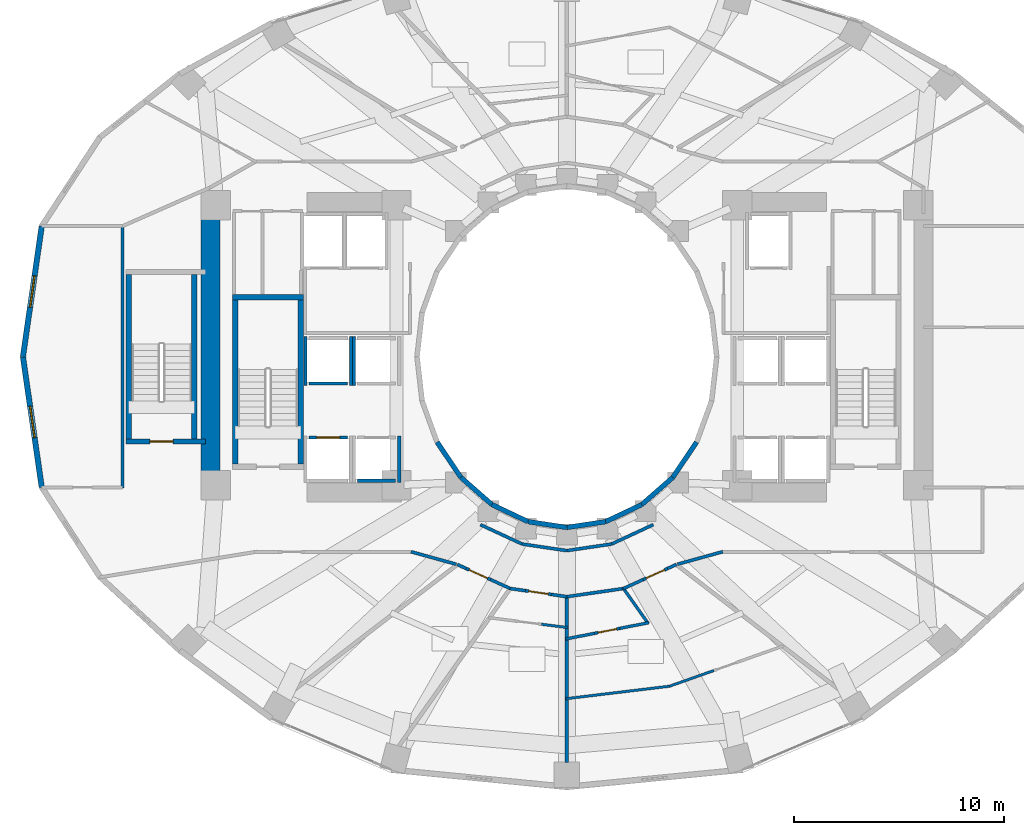
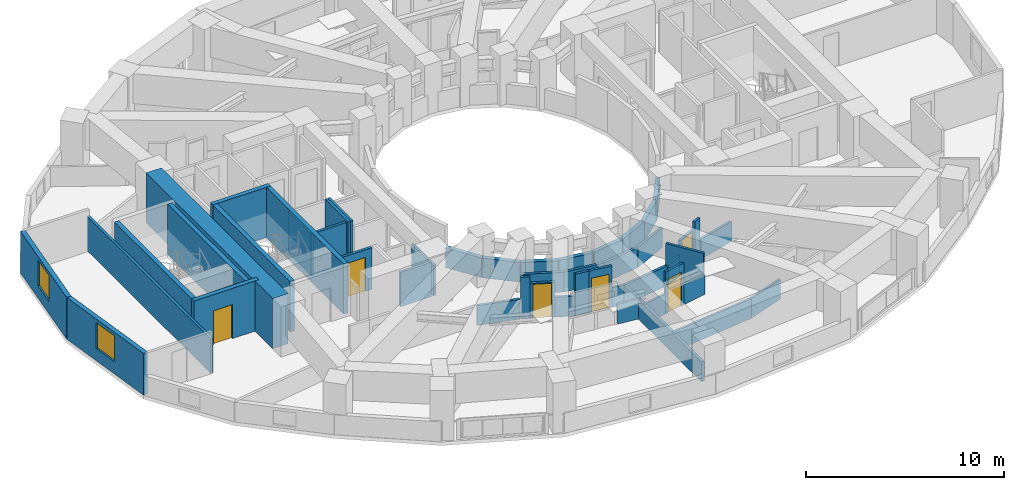
# One storey, part 9 of 16: 49 walls, 6 doors, 2 windows, 8 openings.
"""IFC4 building model written with IfcOpenShell, lengths in metres."""

from ifc_helpers import new_model, si_unit, direction, frame, frame_2d, origin, place, context, subcontext, project, spatial, rectangle, extrude, material, layer, layer_set, type_object, element, fill, save


model = new_model("IFC4")

# Units and contexts
model_context = context("Model", 3, precision=1e-05, world=origin(), true_north=direction((0.0, 1.0)))
body_context = subcontext(model_context, "Body", "Model", "MODEL_VIEW")
ifc_project = project(units=[si_unit("LENGTHUNIT", "METRE"), si_unit("AREAUNIT", "SQUARE_METRE"), si_unit("VOLUMEUNIT", "CUBIC_METRE"), si_unit("PLANEANGLEUNIT", "RADIAN"), si_unit("MASSUNIT", "GRAM", prefix="KILO")], contexts=[model_context])

# Site, building, storey
site_placement = place(None, origin())
site = spatial("IfcSite", under=ifc_project, at=site_placement, CompositionType="ELEMENT")
building_placement = place(site_placement, origin())
building = spatial("IfcBuilding", under=site, at=building_placement, Name="Solvane Sanctuary Tower", CompositionType="ELEMENT")
storey_placement = place(building_placement, frame((0.0, 0.0, 61.699951171875)))
storey = spatial("IfcBuildingStorey", under=building, at=storey_placement, Name="L18", CompositionType="ELEMENT", Elevation=61.699951171875)

# Walls
ifc_material_1 = material(Name="Concrete C70/85", Category="concrete")
ifc_layer_1 = layer(ifc_material_1, 0.89990234375, Name="Concrete C70/85")
ifc_layer_set_1 = layer_set([ifc_layer_1], Name="Concrete C70/85")
wall_type_1 = type_object("IfcWallType", Name="Wall W-CORE-900", PredefinedType="SHEAR", material=ifc_layer_set_1)
wall_1_placement = place(storey_placement, frame((15.050048828125, 17.050048828125, 0.0), z_axis=(0.0, 0.0, 1.0), x_axis=(0.0, 1.0, 0.0)))
element("IfcWall", 1, at=wall_1_placement, inside=storey, type_object=wall_type_1, Name="L18 Core Shear Wall WC-W", PredefinedType="SHEAR", context=body_context, shape_type="SweptSolid", body=[
    extrude(rectangle(XDim=12.800048828125, YDim=0.89990234375, at=frame_2d((6.39990234375, 0.0))), origin(), (0.0, 0.0, 1.0), 3.10009765625),
])
ifc_material_2 = material(Name="Acoustic Gypsum Partition Board")
ifc_layer_2 = layer(ifc_material_2, 0.14990234375, Name="Acoustic Gypsum Partition Board")
ifc_layer_set_2 = layer_set([ifc_layer_2], Name="Acoustic Gypsum Partition Board")
wall_type_2 = type_object("IfcWallType", Name="Wall W-CORR-150", PredefinedType="PARTITIONING", material=ifc_layer_set_2)
wall_2_placement = place(storey_placement, frame((27.889892578125, 15.01513671875, 0.0), z_axis=(0.0, 0.0, 1.0), x_axis=(0.906943449489, -0.421252393975, 0.0)))
element("IfcWall", 2, at=wall_2_placement, inside=storey, type_object=wall_type_2, Name="L18 Light-Well Corridor Rim Wall S1", PredefinedType="PARTITIONING", context=body_context, shape_type="SweptSolid", body=[
    extrude(rectangle(XDim=2.18603515625, YDim=0.14990234375, at=frame_2d((1.093017578125, 0.0))), origin(), (0.0, 0.0, 1.0), 1.219970703125),
])
for number, where, z_axis, x_axis, name in (
    (3, (29.87255859375, 14.09423828125, 0.0), (0.0, 0.0, 1.0), (0.989268584896, -0.146108408166, 0.0), "L18 Light-Well Corridor Rim Wall S2"),
    (4, (32.0, 13.780029296875, 0.0), (0.0, 0.0, 1.0), (0.989268584896, 0.146108408166, 0.0), "L18 Light-Well Corridor Rim Wall S3"),
):
    element("IfcWall", number, at=place(storey_placement, frame(where, z_axis=z_axis, x_axis=x_axis)), inside=storey, type_object=wall_type_2, Name=name, PredefinedType="PARTITIONING", context=body_context, shape_type="SweptSolid", body=[
        extrude(rectangle(XDim=2.150634765625, YDim=0.14990234375, at=frame_2d((1.0751953125, 0.0))), origin(), (0.0, 0.0, 1.0), 1.219970703125),
    ])
wall_3_placement = place(storey_placement, frame((34.12744140625, 14.09423828125, 0.0), z_axis=(0.0, 0.0, 1.0), x_axis=(0.906943449489, 0.421252393975, 0.0)))
element("IfcWall", 5, at=wall_3_placement, inside=storey, type_object=wall_type_2, Name="L18 Light-Well Corridor Rim Wall S4", PredefinedType="PARTITIONING", context=body_context, shape_type="SweptSolid", body=[
    extrude(rectangle(XDim=2.18603515625, YDim=0.14990234375, at=frame_2d((1.093017578125, 0.0))), origin(), (0.0, 0.0, 1.0), 1.219970703125),
])
wall_4_placement = place(storey_placement, frame((10.8798828125, 16.748291015625, 0.0), z_axis=(0.0, 0.0, 1.0), x_axis=(0.0, 1.0, 0.0)))
element("IfcWall", 6, at=wall_4_placement, inside=storey, type_object=wall_type_2, Name="L18 West Shoulder Back Wall", PredefinedType="PARTITIONING", context=body_context, shape_type="SweptSolid", body=[
    extrude(rectangle(XDim=12.50341796875, YDim=0.14990234375, at=frame_2d((6.251708984375, 0.0))), origin(), (0.0, 0.0, 1.0), 2.1201171875),
])
for number, where, z_axis, x_axis, name in (
    (7, (26.741943359375, 13.13330078125, 0.0), (0.0, 0.0, 1.0), (-0.963833843713, 0.266503886865, 0.0), "L18 SW Corner Throat Wall"),
    (8, (37.258056640625, 13.13330078125, 0.0), (0.0, 0.0, 1.0), (0.963833843713, 0.266503886865, 0.0), "L18 SE Corner Throat Wall"),
):
    element("IfcWall", number, at=place(storey_placement, frame(where, z_axis=z_axis, x_axis=x_axis)), inside=storey, type_object=wall_type_2, Name=name, PredefinedType="PARTITIONING", context=body_context, shape_type="SweptSolid", body=[
        extrude(rectangle(XDim=2.231689453125, YDim=0.14990234375, at=frame_2d((1.11572265625, 0.0))), origin(), (0.0, 0.0, 1.0), 1.219970703125),
    ])
wall_5_placement = place(storey_placement, frame((26.788818359375, 13.12255859375, 0.0), z_axis=(0.0, 0.0, 1.0), x_axis=(0.910580557663, -0.413331644091, 0.0)))
element("IfcWall", 9, at=wall_5_placement, inside=storey, type_object=wall_type_2, Name="L18 Unit Corridor Wall S1", PredefinedType="PARTITIONING", context=body_context, shape_type="SweptSolid", body=[
    extrude(rectangle(XDim=0.468505859375, YDim=0.14990234375, at=frame_2d((0.234375, 0.0))), origin(), (0.0, 0.0, 1.0), 2.574951171875),
])

# Wall, opening, door
wall_6_placement = place(storey_placement, frame((27.21533203125, 12.928955078125, 0.0), z_axis=(0.0, 0.0, 1.0), x_axis=(0.910491529429, -0.413527719553, 0.0)))
wall_6 = element("IfcWall", 10, at=wall_6_placement, inside=storey, type_object=wall_type_2, Name="L18 Unit Corridor Wall S1", PredefinedType="PARTITIONING", context=body_context, shape_type="SweptSolid", body=[
    extrude(rectangle(XDim=1.27001953125, YDim=0.14990234375, at=frame_2d((0.635009765625, 0.0))), origin(), (0.0, 0.0, 1.0), 2.16015625),
])
opening_1_placement = place(wall_6_placement, frame((0.159912109375, 0.0, 0.0)))
opening_1 = element("IfcOpeningElement", 11, at=opening_1_placement, cuts=wall_6, Name="Opening D-L18-26", PredefinedType="OPENING", context=body_context, shape_type="SweptSolid", body=[
    extrude(rectangle(XDim=0.949951171875, YDim=2.10009765625, at=frame_2d((0.47509765625, 1.050048828125))), frame((0.0, 0.0849609375, 0.0), z_axis=(0.0, -1.0, 0.0), x_axis=(1.0, 0.0, 0.0)), (0.0, 0.0, 1.0), 0.169921875),
])
ifc_material_3 = material(Name="Engineered Tropical Hardwood", Category="wood")
door_type_1 = type_object("IfcDoorType", Name="Door D-ROOM-950", OperationType="NOTDEFINED", PredefinedType="DOOR", material=ifc_material_3)
door_1_placement = place(opening_1_placement, origin())
door_1 = element("IfcDoor", 12, at=door_1_placement, inside=storey, type_object=door_type_1, Name="L18 Unit Entrance Door S1", OperationType="SINGLE_SWING_LEFT", OverallHeight=2.10009765625, OverallWidth=0.949951171875, PredefinedType="DOOR", context=body_context, shape_type="SweptSolid", body=[
    extrude(rectangle(XDim=0.949951171875, YDim=2.10009765625, at=frame_2d((0.47509765625, 1.050048828125))), frame((0.0, 0.02490234375, 0.0), z_axis=(0.0, -1.0, 0.0), x_axis=(1.0, 0.0, 0.0)), (0.0, 0.0, 1.0), 0.050048828125),
])
fill(opening_1, door_1)

# Walls
wall_7_placement = place(storey_placement, frame((28.37158203125, 12.40380859375, 0.0), z_axis=(0.0, 0.0, 1.0), x_axis=(0.910657491524, -0.413162114831, 0.0)))
element("IfcWall", 13, at=wall_7_placement, inside=storey, type_object=wall_type_2, Name="L18 Unit Corridor Wall S1", PredefinedType="PARTITIONING", context=body_context, shape_type="SweptSolid", body=[
    extrude(rectangle(XDim=1.033447265625, YDim=0.14990234375, at=frame_2d((0.5166015625, 0.0))), origin(), (0.0, 0.0, 1.0), 1.219970703125),
])
wall_8_placement = place(storey_placement, frame((29.298583984375, 11.98095703125, 0.0), z_axis=(0.0, 0.0, 1.0), x_axis=(0.98974875873, -0.142819447526, 0.0)))
element("IfcWall", 14, at=wall_8_placement, inside=storey, type_object=wall_type_2, Name="L18 Unit Corridor Wall S2", PredefinedType="PARTITIONING", context=body_context, shape_type="SweptSolid", body=[
    extrude(rectangle(XDim=0.7333984375, YDim=0.14990234375, at=frame_2d((0.36669921875, 0.0))), origin(), (0.0, 0.0, 1.0), 2.574951171875),
])

# Wall, opening, door
wall_9_placement = place(storey_placement, frame((30.0244140625, 11.876220703125, 0.0), z_axis=(0.0, 0.0, 1.0), x_axis=(0.98974859422, -0.142820587591, 0.0)))
wall_9 = element("IfcWall", 15, at=wall_9_placement, inside=storey, type_object=wall_type_2, Name="L18 Unit Corridor Wall S2", PredefinedType="PARTITIONING", context=body_context, shape_type="SweptSolid", body=[
    extrude(rectangle(XDim=1.27001953125, YDim=0.14990234375, at=frame_2d((0.635009765625, 0.0))), origin(), (0.0, 0.0, 1.0), 2.574951171875),
])
opening_2_placement = place(wall_9_placement, frame((0.159912109375, 0.0, 0.0)))
opening_2 = element("IfcOpeningElement", 16, at=opening_2_placement, cuts=wall_9, Name="Opening D-L18-28", PredefinedType="OPENING", context=body_context, shape_type="SweptSolid", body=[
    extrude(rectangle(XDim=0.949951171875, YDim=2.10009765625, at=frame_2d((0.47509765625, 1.050048828125))), frame((0.0, 0.0849609375, 0.0), z_axis=(0.0, -1.0, 0.0), x_axis=(1.0, 0.0, 0.0)), (0.0, 0.0, 1.0), 0.169921875),
])
door_2_placement = place(opening_2_placement, origin())
door_2 = element("IfcDoor", 17, at=door_2_placement, inside=storey, type_object=door_type_1, Name="L18 Unit Entrance Door S2", OperationType="SINGLE_SWING_LEFT", OverallHeight=2.10009765625, OverallWidth=0.949951171875, PredefinedType="DOOR", context=body_context, shape_type="SweptSolid", body=[
    extrude(rectangle(XDim=0.949951171875, YDim=2.10009765625, at=frame_2d((0.47509765625, 1.050048828125))), frame((0.0, 0.02490234375, 0.0), z_axis=(0.0, -1.0, 0.0), x_axis=(1.0, 0.0, 0.0)), (0.0, 0.0, 1.0), 0.050048828125),
])
fill(opening_2, door_2)

# Walls
wall_10_placement = place(storey_placement, frame((31.281494140625, 11.69482421875, 0.0), z_axis=(0.0, 0.0, 1.0), x_axis=(0.98974875873, -0.142819447526, 0.0)))
element("IfcWall", 18, at=wall_10_placement, inside=storey, type_object=wall_type_2, Name="L18 Unit Corridor Wall S2", PredefinedType="PARTITIONING", context=body_context, shape_type="SweptSolid", body=[
    extrude(rectangle(XDim=0.7333984375, YDim=0.14990234375, at=frame_2d((0.36669921875, 0.0))), origin(), (0.0, 0.0, 1.0), 1.219970703125),
])
wall_11_placement = place(storey_placement, frame((31.950439453125, 11.5830078125, 0.0), z_axis=(0.0, 0.0, 1.0), x_axis=(0.989761784218, 0.142729150844, 0.0)))
element("IfcWall", 19, at=wall_11_placement, inside=storey, type_object=wall_type_2, Name="L18 En-suite Inner Wall S3", PredefinedType="PARTITIONING", context=body_context, shape_type="SweptSolid", body=[
    extrude(rectangle(XDim=2.822265625, YDim=0.14990234375, at=frame_2d((1.4111328125, 0.0))), origin(), (0.0, 0.0, 1.0), 1.219970703125),
])
wall_12_placement = place(storey_placement, frame((34.687255859375, 11.976806640625, 0.0), z_axis=(0.0, 0.0, 1.0), x_axis=(0.910657491524, 0.413162114831, 0.0)))
element("IfcWall", 20, at=wall_12_placement, inside=storey, type_object=wall_type_2, Name="L18 Unit Corridor Wall S3", PredefinedType="PARTITIONING", context=body_context, shape_type="SweptSolid", body=[
    extrude(rectangle(XDim=1.033447265625, YDim=0.14990234375, at=frame_2d((0.5166015625, 0.0))), origin(), (0.0, 0.0, 1.0), 1.219970703125),
])

# Wall, opening, door
wall_13_placement = place(storey_placement, frame((35.62841796875, 12.40380859375, 0.0), z_axis=(0.0, 0.0, 1.0), x_axis=(0.910491529429, 0.413527719553, 0.0)))
wall_13 = element("IfcWall", 21, at=wall_13_placement, inside=storey, type_object=wall_type_2, Name="L18 Unit Corridor Wall S3", PredefinedType="PARTITIONING", context=body_context, shape_type="SweptSolid", body=[
    extrude(rectangle(XDim=1.27001953125, YDim=0.14990234375, at=frame_2d((0.635009765625, 0.0))), origin(), (0.0, 0.0, 1.0), 2.16015625),
])
opening_3_placement = place(wall_13_placement, frame((0.159912109375, 0.0, 0.0)))
opening_3 = element("IfcOpeningElement", 22, at=opening_3_placement, cuts=wall_13, Name="Opening D-L18-31", PredefinedType="OPENING", context=body_context, shape_type="SweptSolid", body=[
    extrude(rectangle(XDim=0.949951171875, YDim=2.10009765625, at=frame_2d((0.47509765625, 1.050048828125))), frame((0.0, 0.0849609375, 0.0), z_axis=(0.0, -1.0, 0.0), x_axis=(1.0, 0.0, 0.0)), (0.0, 0.0, 1.0), 0.169921875),
])
door_3_placement = place(opening_3_placement, origin())
door_3 = element("IfcDoor", 23, at=door_3_placement, inside=storey, type_object=door_type_1, Name="L18 Unit Entrance Door S3", OperationType="SINGLE_SWING_RIGHT", OverallHeight=2.10009765625, OverallWidth=0.949951171875, PredefinedType="DOOR", context=body_context, shape_type="SweptSolid", body=[
    extrude(rectangle(XDim=0.949951171875, YDim=2.10009765625, at=frame_2d((0.47509765625, 1.050048828125))), frame((0.0, 0.02490234375, 0.0), z_axis=(0.0, -1.0, 0.0), x_axis=(1.0, 0.0, 0.0)), (0.0, 0.0, 1.0), 0.050048828125),
])
fill(opening_3, door_3)

# Wall
wall_14_placement = place(storey_placement, frame((36.78466796875, 12.928955078125, 0.0), z_axis=(0.0, 0.0, 1.0), x_axis=(0.910580557663, 0.413331644091, 0.0)))
element("IfcWall", 24, at=wall_14_placement, inside=storey, type_object=wall_type_2, Name="L18 Unit Corridor Wall S3", PredefinedType="PARTITIONING", context=body_context, shape_type="SweptSolid", body=[
    extrude(rectangle(XDim=0.468505859375, YDim=0.14990234375, at=frame_2d((0.234375, 0.0))), origin(), (0.0, 0.0, 1.0), 2.574951171875),
])

# Wall, opening, window
ifc_material_4 = material(Name="Precast concrete C40/50", Category="concrete")
ifc_layer_3 = layer(ifc_material_4, 0.260009765625, Name="Precast concrete C40/50")
ifc_layer_set_3 = layer_set([ifc_layer_3], Name="Precast concrete C40/50")
wall_type_3 = type_object("IfcWallType", Name="Wall W-EXT-250", PredefinedType="STANDARD", material=ifc_layer_set_3)
wall_15_placement = place(storey_placement, frame((7.033447265625, 29.205322265625, 0.0), z_axis=(0.0, 0.0, 1.0), x_axis=(-0.142528001686, -0.989790770181, 0.0)))
wall_15 = element("IfcWall", 25, at=wall_15_placement, inside=storey, type_object=wall_type_3, Name="L18 Ceramic-Printed Facade Wall 11", PredefinedType="STANDARD", context=body_context, shape_type="SweptSolid", body=[
    extrude(rectangle(XDim=6.269287109375, YDim=0.260009765625, at=frame_2d((3.134765625, 0.0))), origin(), (0.0, 0.0, 1.0), 2.570068359375),
])
opening_4_placement = place(wall_15_placement, frame((2.384521484375, 0.0, 0.75)))
opening_4 = element("IfcOpeningElement", 26, at=opening_4_placement, cuts=wall_15, Name="Opening WN-OPER-1500", PredefinedType="OPENING", context=body_context, shape_type="SweptSolid", body=[
    extrude(rectangle(XDim=1.5, YDim=1.60009765625, at=frame_2d((0.75, 0.800048828125))), frame((0.0, 0.139892578125, 0.0), z_axis=(0.0, -1.0, 0.0), x_axis=(1.0, 0.0, 0.0)), (0.0, 0.0, 1.0), 0.280029296875),
])
ifc_material_5 = material(Name="Dark Ceramic-Fritted Low-E Glass", Category="glass")
window_type = type_object("IfcWindowType", Name="Window WN-OPER-1500", PartitioningType="SINGLE_PANEL", PredefinedType="WINDOW", material=ifc_material_5)
window_1_placement = place(opening_4_placement, origin())
window_1 = element("IfcWindow", 27, at=window_1_placement, inside=storey, type_object=window_type, Name="L18 Operable Facade Window 11", OverallHeight=1.60009765625, OverallWidth=1.5, PartitioningType="SINGLE_PANEL", PredefinedType="WINDOW", context=body_context, shape_type="SweptSolid", body=[
    extrude(rectangle(XDim=1.5, YDim=1.60009765625, at=frame_2d((0.75, 0.800048828125))), frame((0.0, 0.030029296875, 0.0), z_axis=(0.0, -1.0, 0.0), x_axis=(1.0, 0.0, 0.0)), (0.0, 0.0, 1.0), 0.06005859375),
])
fill(opening_4, window_1)

wall_16_placement = place(storey_placement, frame((6.139892578125, 23.0, 0.0), z_axis=(0.0, 0.0, 1.0), x_axis=(0.142528001686, -0.989790770181, 0.0)))
wall_16 = element("IfcWall", 28, at=wall_16_placement, inside=storey, type_object=wall_type_3, Name="L18 Ceramic-Printed Facade Wall 12", PredefinedType="STANDARD", context=body_context, shape_type="SweptSolid", body=[
    extrude(rectangle(XDim=6.269287109375, YDim=0.260009765625, at=frame_2d((3.134765625, 0.0))), origin(), (0.0, 0.0, 1.0), 2.570068359375),
])
opening_5_placement = place(wall_16_placement, frame((2.384521484375, 0.0, 0.75)))
opening_5 = element("IfcOpeningElement", 29, at=opening_5_placement, cuts=wall_16, Name="Opening WN-OPER-1500", PredefinedType="OPENING", context=body_context, shape_type="SweptSolid", body=[
    extrude(rectangle(XDim=1.5, YDim=1.60009765625, at=frame_2d((0.75, 0.800048828125))), frame((0.0, 0.139892578125, 0.0), z_axis=(0.0, -1.0, 0.0), x_axis=(1.0, 0.0, 0.0)), (0.0, 0.0, 1.0), 0.280029296875),
])
window_2_placement = place(opening_5_placement, origin())
window_2 = element("IfcWindow", 30, at=window_2_placement, inside=storey, type_object=window_type, Name="L18 Operable Facade Window 12", OverallHeight=1.60009765625, OverallWidth=1.5, PartitioningType="SINGLE_PANEL", PredefinedType="WINDOW", context=body_context, shape_type="SweptSolid", body=[
    extrude(rectangle(XDim=1.5, YDim=1.60009765625, at=frame_2d((0.75, 0.800048828125))), frame((0.0, 0.030029296875, 0.0), z_axis=(0.0, -1.0, 0.0), x_axis=(1.0, 0.0, 0.0)), (0.0, 0.0, 1.0), 0.06005859375),
])
fill(opening_5, window_2)

# Walls
ifc_layer_4 = layer(ifc_material_4, 0.22998046875, Name="Precast concrete C40/50")
ifc_layer_set_4 = layer_set([ifc_layer_4], Name="Precast concrete C40/50")
wall_type_4 = type_object("IfcWallType", Name="Wall W-EXT-SP220", PredefinedType="STANDARD", material=ifc_layer_set_4)
wall_17_placement = place(storey_placement, frame((25.833984375, 18.93994140625, 0.0), z_axis=(0.0, 0.0, 1.0), x_axis=(0.558197800898, -0.829707909492, 0.0)))
element("IfcWall", 31, at=wall_17_placement, inside=storey, type_object=wall_type_4, Name="L18 Central Light-Well Wall 14", PredefinedType="STANDARD", context=body_context, shape_type="SweptSolid", body=[
    extrude(rectangle(XDim=2.02685546875, YDim=0.22998046875, at=frame_2d((1.013427734375, 0.0))), origin(), (0.0, 0.0, 1.0), 1.219970703125),
])
wall_18_placement = place(storey_placement, frame((26.96533203125, 17.25830078125, 0.0), z_axis=(0.0, 0.0, 1.0), x_axis=(0.752576694707, -0.658504607869, 0.0)))
element("IfcWall", 32, at=wall_18_placement, inside=storey, type_object=wall_type_4, Name="L18 Central Light-Well Wall 15", PredefinedType="STANDARD", context=body_context, shape_type="SweptSolid", body=[
    extrude(rectangle(XDim=1.95947265625, YDim=0.22998046875, at=frame_2d((0.979736328125, 0.0))), origin(), (0.0, 0.0, 1.0), 1.219970703125),
])
wall_19_placement = place(storey_placement, frame((28.43994140625, 15.968017578125, 0.0), z_axis=(0.0, 0.0, 1.0), x_axis=(0.904179699603, -0.427152280606, 0.0)))
element("IfcWall", 33, at=wall_19_placement, inside=storey, type_object=wall_type_4, Name="L18 Central Light-Well Wall 16", PredefinedType="STANDARD", context=body_context, shape_type="SweptSolid", body=[
    extrude(rectangle(XDim=1.899169921875, YDim=0.22998046875, at=frame_2d((0.94970703125, 0.0))), origin(), (0.0, 0.0, 1.0), 1.219970703125),
])
for number, where, z_axis, x_axis, name in (
    (34, (30.1572265625, 15.15673828125, 0.0), (0.0, 0.0, 1.0), (0.988901730308, -0.148571086668, 0.0), "L18 Central Light-Well Wall 17"),
    (35, (32.0, 14.8798828125, 0.0), (0.0, 0.0, 1.0), (0.988901730308, 0.148571086668, 0.0), "L18 Central Light-Well Wall 18"),
):
    element("IfcWall", number, at=place(storey_placement, frame(where, z_axis=z_axis, x_axis=x_axis)), inside=storey, type_object=wall_type_4, Name=name, PredefinedType="STANDARD", context=body_context, shape_type="SweptSolid", body=[
        extrude(rectangle(XDim=1.863525390625, YDim=0.22998046875, at=frame_2d((0.931640625, 0.0))), origin(), (0.0, 0.0, 1.0), 1.219970703125),
    ])
wall_20_placement = place(storey_placement, frame((33.8427734375, 15.15673828125, 0.0), z_axis=(0.0, 0.0, 1.0), x_axis=(0.904179699603, 0.427152280606, 0.0)))
element("IfcWall", 36, at=wall_20_placement, inside=storey, type_object=wall_type_4, Name="L18 Central Light-Well Wall 19", PredefinedType="STANDARD", context=body_context, shape_type="SweptSolid", body=[
    extrude(rectangle(XDim=1.899169921875, YDim=0.22998046875, at=frame_2d((0.94970703125, 0.0))), origin(), (0.0, 0.0, 1.0), 1.219970703125),
])
wall_21_placement = place(storey_placement, frame((35.56005859375, 15.968017578125, 0.0), z_axis=(0.0, 0.0, 1.0), x_axis=(0.752576694707, 0.658504607869, 0.0)))
element("IfcWall", 37, at=wall_21_placement, inside=storey, type_object=wall_type_4, Name="L18 Central Light-Well Wall 20", PredefinedType="STANDARD", context=body_context, shape_type="SweptSolid", body=[
    extrude(rectangle(XDim=1.95947265625, YDim=0.22998046875, at=frame_2d((0.979736328125, 0.0))), origin(), (0.0, 0.0, 1.0), 1.219970703125),
])
wall_22_placement = place(storey_placement, frame((37.03466796875, 17.25830078125, 0.0), z_axis=(0.0, 0.0, 1.0), x_axis=(0.558197800898, 0.829707909492, 0.0)))
element("IfcWall", 38, at=wall_22_placement, inside=storey, type_object=wall_type_4, Name="L18 Central Light-Well Wall 21", PredefinedType="STANDARD", context=body_context, shape_type="SweptSolid", body=[
    extrude(rectangle(XDim=2.02685546875, YDim=0.22998046875, at=frame_2d((1.013427734375, 0.0))), origin(), (0.0, 0.0, 1.0), 1.219970703125),
])
ifc_layer_5 = layer(ifc_material_2, 0.1201171875, Name="Acoustic Gypsum Partition Board")
ifc_layer_set_5 = layer_set([ifc_layer_5], Name="Acoustic Gypsum Partition Board")
wall_type_5 = type_object("IfcWallType", Name="Wall W-MOV-100", PredefinedType="MOVABLE", material=ifc_layer_set_5)
wall_23_placement = place(storey_placement, frame((30.7919921875, 10.2802734375, 0.0), z_axis=(0.0, 0.0, 1.0), x_axis=(0.992251181548, -0.124248109512, 0.0)))
element("IfcWall", 39, at=wall_23_placement, inside=storey, type_object=wall_type_5, Name="L18 Suite Sitting Lounge Partition S2", PredefinedType="MOVABLE", context=body_context, shape_type="SweptSolid", body=[
    extrude(rectangle(XDim=1.267333984375, YDim=0.1201171875, at=frame_2d((0.6337890625, 0.0))), origin(), (0.0, 0.0, 1.0), 1.219970703125),
])
wall_24_placement = place(storey_placement, frame((31.950439453125, 6.7392578125, 0.0), z_axis=(0.0, 0.0, 1.0), x_axis=(0.992797021108, 0.11980849252, 0.0)))
element("IfcWall", 40, at=wall_24_placement, inside=storey, type_object=wall_type_5, Name="L18 Suite Sitting Lounge Partition S3", PredefinedType="MOVABLE", context=body_context, shape_type="SweptSolid", body=[
    extrude(rectangle(XDim=4.978271484375, YDim=0.1201171875, at=frame_2d((2.4892578125, 0.0))), origin(), (0.0, 0.0, 1.0), 1.219970703125),
])
wall_25_placement = place(storey_placement, frame((36.87353515625, 7.331298828125, 0.0), z_axis=(0.0, 0.0, 1.0), x_axis=(0.942721221588, 0.333581621747, 0.0)))
element("IfcWall", 41, at=wall_25_placement, inside=storey, type_object=wall_type_5, Name="L18 Suite Sitting Lounge Partition S3", PredefinedType="MOVABLE", context=body_context, shape_type="SweptSolid", body=[
    extrude(rectangle(XDim=2.246826171875, YDim=0.1201171875, at=frame_2d((1.12353515625, 0.0))), origin(), (0.0, 0.0, 1.0), 1.219970703125),
])

# Wall, opening, door
ifc_material_6 = material(Name="Concrete C50/60", Category="concrete")
ifc_layer_6 = layer(ifc_material_6, 0.14990234375, Name="Concrete C50/60")
ifc_layer_set_6 = layer_set([ifc_layer_6], Name="Concrete C50/60")
wall_type_6 = type_object("IfcWallType", Name="Wall W-SHAFT-150", PredefinedType="SOLIDWALL", material=ifc_layer_set_6)
wall_26_placement = place(storey_placement, frame((19.739990234375, 19.159912109375, 0.0), z_axis=(0.0, 0.0, 1.0), x_axis=(1.0, 0.0, 0.0)))
wall_26 = element("IfcWall", 42, at=wall_26_placement, inside=storey, type_object=wall_type_6, Name="L18 PL-1 Lift Shaft Wall F", PredefinedType="SOLIDWALL", context=body_context, shape_type="SweptSolid", body=[
    extrude(rectangle(XDim=1.820068359375, YDim=0.14990234375, at=frame_2d((0.91015625, 0.0))), origin(), (0.0, 0.0, 1.0), 2.574951171875),
])
opening_6_placement = place(wall_26_placement, frame((0.360107421875, 0.0, 0.0)))
opening_6 = element("IfcOpeningElement", 43, at=opening_6_placement, cuts=wall_26, Name="Opening LD-L18-01", PredefinedType="OPENING", context=body_context, shape_type="SweptSolid", body=[
    extrude(rectangle(XDim=1.10009765625, YDim=2.10009765625, at=frame_2d((0.550048828125, 1.050048828125))), frame((0.0, 0.0849609375, 0.0), z_axis=(0.0, -1.0, 0.0), x_axis=(1.0, 0.0, 0.0)), (0.0, 0.0, 1.0), 0.169921875),
])
ifc_material_7 = material(Name="Architectural Stainless Steel 316", Category="steel")
door_type_2 = type_object("IfcDoorType", Name="Door LD-PASS-1100", OperationType="NOTDEFINED", PredefinedType="DOOR", material=ifc_material_7)
door_4_placement = place(opening_6_placement, origin())
door_4 = element("IfcDoor", 44, at=door_4_placement, inside=storey, type_object=door_type_2, Name="L18 PL-1 Lift Landing Door", OperationType="DOUBLE_DOOR_SLIDING", OverallHeight=2.10009765625, OverallWidth=1.10009765625, PredefinedType="DOOR", context=body_context, shape_type="SweptSolid", body=[
    extrude(rectangle(XDim=1.10009765625, YDim=2.10009765625, at=frame_2d((0.550048828125, 1.050048828125))), frame((0.0, 0.02490234375, 0.0), z_axis=(0.0, -1.0, 0.0), x_axis=(1.0, 0.0, 0.0)), (0.0, 0.0, 1.0), 0.050048828125),
])
fill(opening_6, door_4)

# Walls
wall_27_placement = place(storey_placement, frame((22.0400390625, 17.10009765625, 0.0), z_axis=(0.0, 0.0, 1.0), x_axis=(1.0, 0.0, 0.0)))
element("IfcWall", 45, at=wall_27_placement, inside=storey, type_object=wall_type_6, Name="L18 PL-2 Lift Shaft Wall B", PredefinedType="SOLIDWALL", context=body_context, shape_type="SweptSolid", body=[
    extrude(rectangle(XDim=1.820068359375, YDim=0.14990234375, at=frame_2d((0.91015625, 0.0))), origin(), (0.0, 0.0, 1.0), 2.1201171875),
])
wall_28_placement = place(storey_placement, frame((24.030029296875, 17.02001953125, 0.0), z_axis=(0.0, 0.0, 1.0), x_axis=(0.0, 1.0, 0.0)))
element("IfcWall", 46, at=wall_28_placement, inside=storey, type_object=wall_type_6, Name="L18 PL-2 Lift Shaft Wall S2", PredefinedType="SOLIDWALL", context=body_context, shape_type="SweptSolid", body=[
    extrude(rectangle(XDim=2.219970703125, YDim=0.14990234375, at=frame_2d((1.10986328125, 0.0))), origin(), (0.0, 0.0, 1.0), 1.873046875),
])
wall_29_placement = place(storey_placement, frame((19.739990234375, 21.719970703125, 0.0), z_axis=(0.0, 0.0, 1.0), x_axis=(1.0, 0.0, 0.0)))
element("IfcWall", 47, at=wall_29_placement, inside=storey, type_object=wall_type_6, Name="L18 PM-1 Lift Shaft Wall F", PredefinedType="SOLIDWALL", context=body_context, shape_type="SweptSolid", body=[
    extrude(rectangle(XDim=1.820068359375, YDim=0.14990234375, at=frame_2d((0.91015625, 0.0))), origin(), (0.0, 0.0, 1.0), 2.574951171875),
])
for number, where, z_axis, x_axis, name in (
    (48, (19.570068359375, 21.639892578125, 0.0), (0.0, 0.0, 1.0), (0.0, 1.0, 0.0), "L18 PM-1 Lift Shaft Wall S1"),
    (49, (21.72998046875, 21.639892578125, 0.0), (0.0, 0.0, 1.0), (0.0, 1.0, 0.0), "L18 PM-1 Lift Shaft Wall S2"),
    (50, (21.8701171875, 21.639892578125, 0.0), (0.0, 0.0, 1.0), (0.0, 1.0, 0.0), "L18 PH-1 Lift Shaft Wall S1"),
):
    element("IfcWall", number, at=place(storey_placement, frame(where, z_axis=z_axis, x_axis=x_axis)), inside=storey, type_object=wall_type_6, Name=name, PredefinedType="SOLIDWALL", context=body_context, shape_type="SweptSolid", body=[
        extrude(rectangle(XDim=2.320068359375, YDim=0.14990234375, at=frame_2d((1.16015625, 0.0))), origin(), (0.0, 0.0, 1.0), 2.574951171875),
    ])
ifc_layer_7 = layer(ifc_material_6, 0.25, Name="Concrete C50/60")
ifc_layer_set_7 = layer_set([ifc_layer_7], Name="Concrete C50/60")
wall_type_7 = type_object("IfcWallType", Name="Wall W-SHAFT-250", PredefinedType="SOLIDWALL", material=ifc_layer_set_7)
wall_30_placement = place(storey_placement, frame((16.10498046875, 25.830078125, 0.0), z_axis=(0.0, 0.0, 1.0), x_axis=(1.0, 0.0, 0.0)))
element("IfcWall", 51, at=wall_30_placement, inside=storey, type_object=wall_type_7, Name="L18 ST-1 Load-Bearing Shaft Wall N", PredefinedType="SOLIDWALL", context=body_context, shape_type="SweptSolid", body=[
    extrude(rectangle(XDim=3.3701171875, YDim=0.25, at=frame_2d((1.68505859375, 0.0))), origin(), (0.0, 0.0, 1.0), 3.10009765625),
])
for number, where, z_axis, x_axis, name in (
    (52, (16.22998046875, 17.89501953125, 0.0), (0.0, 0.0, 1.0), (0.0, 1.0, 0.0), "L18 ST-1 Load-Bearing Shaft Wall W"),
    (53, (19.35009765625, 17.89501953125, 0.0), (0.0, 0.0, 1.0), (0.0, 1.0, 0.0), "L18 ST-1 Load-Bearing Shaft Wall E"),
):
    element("IfcWall", number, at=place(storey_placement, frame(where, z_axis=z_axis, x_axis=x_axis)), inside=storey, type_object=wall_type_7, Name=name, PredefinedType="SOLIDWALL", context=body_context, shape_type="SweptSolid", body=[
        extrude(rectangle(XDim=7.81005859375, YDim=0.25, at=frame_2d((3.905029296875, 0.0))), origin(), (0.0, 0.0, 1.0), 3.10009765625),
    ])

# Wall, opening, door
wall_31_placement = place(storey_placement, frame((11.044921875, 18.969970703125, 0.0), z_axis=(0.0, 0.0, 1.0), x_axis=(1.0, 0.0, 0.0)))
wall_31 = element("IfcWall", 54, at=wall_31_placement, inside=storey, type_object=wall_type_7, Name="L18 ST-3 Load-Bearing Shaft Wall S", PredefinedType="SOLIDWALL", context=body_context, shape_type="SweptSolid", body=[
    extrude(rectangle(XDim=3.781982421875, YDim=0.25, at=frame_2d((1.89111328125, 0.0))), origin(), (0.0, 0.0, 1.0), 3.10009765625),
])
opening_7_placement = place(wall_31_placement, frame((1.135009765625, 0.0, 0.0)))
opening_7 = element("IfcOpeningElement", 55, at=opening_7_placement, cuts=wall_31, Name="Opening D-L18-03", PredefinedType="OPENING", context=body_context, shape_type="SweptSolid", body=[
    extrude(rectangle(XDim=1.10009765625, YDim=2.10009765625, at=frame_2d((0.550048828125, 1.050048828125))), frame((0.0, 0.135009765625, 0.0), z_axis=(0.0, -1.0, 0.0), x_axis=(1.0, 0.0, 0.0)), (0.0, 0.0, 1.0), 0.27001953125),
])
door_type_3 = type_object("IfcDoorType", Name="Door D-STAIR", OperationType="NOTDEFINED", PredefinedType="DOOR", material=ifc_material_7)
door_5_placement = place(opening_7_placement, origin())
door_5 = element("IfcDoor", 56, at=door_5_placement, inside=storey, type_object=door_type_3, Name="L18 ST-3 Exit Stair Fire Door", OperationType="SINGLE_SWING_RIGHT", OverallHeight=2.10009765625, OverallWidth=1.10009765625, PredefinedType="DOOR", context=body_context, shape_type="SweptSolid", body=[
    extrude(rectangle(XDim=1.10009765625, YDim=2.10009765625, at=frame_2d((0.550048828125, 1.050048828125))), frame((0.0, 0.02490234375, 0.0), z_axis=(0.0, -1.0, 0.0), x_axis=(1.0, 0.0, 0.0)), (0.0, 0.0, 1.0), 0.050048828125),
])
fill(opening_7, door_5)

# Walls
for number, where, z_axis, x_axis, name in (
    (57, (11.169921875, 19.094970703125, 0.0), (0.0, 0.0, 1.0), (0.0, 1.0, 0.0), "L18 ST-3 Load-Bearing Shaft Wall W"),
    (58, (14.2900390625, 19.094970703125, 0.0), (0.0, 0.0, 1.0), (0.0, 1.0, 0.0), "L18 ST-3 Load-Bearing Shaft Wall E"),
):
    element("IfcWall", number, at=place(storey_placement, frame(where, z_axis=z_axis, x_axis=x_axis)), inside=storey, type_object=wall_type_7, Name=name, PredefinedType="SOLIDWALL", context=body_context, shape_type="SweptSolid", body=[
        extrude(rectangle(XDim=7.81005859375, YDim=0.25, at=frame_2d((3.905029296875, 0.0))), origin(), (0.0, 0.0, 1.0), 3.10009765625),
    ])
ifc_layer_8 = layer(ifc_material_2, 0.179931640625, Name="Acoustic Gypsum Partition Board")
ifc_layer_set_8 = layer_set([ifc_layer_8], Name="Acoustic Gypsum Partition Board")
wall_type_8 = type_object("IfcWallType", Name="Wall W-UNIT-180", PredefinedType="PARTITIONING", material=ifc_layer_set_8)
wall_32_placement = place(storey_placement, frame((32.0, 11.534912109375, 0.0), z_axis=(0.0, 0.0, 1.0), x_axis=(0.0, -1.0, 0.0)))
element("IfcWall", 59, at=wall_32_placement, inside=storey, type_object=wall_type_8, Name="L18 Radial Compartment Wall 270", PredefinedType="PARTITIONING", context=body_context, shape_type="SweptSolid", body=[
    extrude(rectangle(XDim=7.8349609375, YDim=0.179931640625, at=frame_2d((3.91748046875, 0.0))), origin(), (0.0, 0.0, 1.0), 1.219970703125),
])
ifc_layer_9 = layer(ifc_material_2, 0.139892578125, Name="Acoustic Gypsum Partition Board")
ifc_layer_set_9 = layer_set([ifc_layer_9], Name="Acoustic Gypsum Partition Board")
wall_type_9 = type_object("IfcWallType", Name="Wall W-WET-140", PredefinedType="PLUMBINGWALL", material=ifc_layer_set_9)
wall_33_placement = place(storey_placement, frame((34.665283203125, 12.01953125, 0.0), z_axis=(0.0, 0.0, 1.0), x_axis=(0.577139575342, -0.816645523207, 0.0)))
element("IfcWall", 60, at=wall_33_placement, inside=storey, type_object=wall_type_9, Name="L18 En-suite Side Partition S3", PredefinedType="PLUMBINGWALL", context=body_context, shape_type="SweptSolid", body=[
    extrude(rectangle(XDim=2.099853515625, YDim=0.139892578125, at=frame_2d((1.0498046875, 0.0))), origin(), (0.0, 0.0, 1.0), 2.574951171875),
])
wall_34_placement = place(storey_placement, frame((31.950927734375, 9.580322265625, 0.0), z_axis=(0.0, 0.0, 1.0), x_axis=(0.981284705137, 0.192562528712, 0.0)))
element("IfcWall", 61, at=wall_34_placement, inside=storey, type_object=wall_type_9, Name="L18 En-suite Bedroom Wall S3", PredefinedType="PLUMBINGWALL", context=body_context, shape_type="SweptSolid", body=[
    extrude(rectangle(XDim=1.40087890625, YDim=0.139892578125, at=frame_2d((0.700439453125, 0.0))), origin(), (0.0, 0.0, 1.0), 1.219970703125),
])

# Wall, opening, door
wall_35_placement = place(storey_placement, frame((33.32568359375, 9.85009765625, 0.0), z_axis=(0.0, 0.0, 1.0), x_axis=(0.981252199958, 0.192728098829, 0.0)))
wall_35 = element("IfcWall", 62, at=wall_35_placement, inside=storey, type_object=wall_type_9, Name="L18 En-suite Bedroom Wall S3", PredefinedType="PLUMBINGWALL", context=body_context, shape_type="SweptSolid", body=[
    extrude(rectangle(XDim=1.219970703125, YDim=0.139892578125, at=frame_2d((0.60986328125, 0.0))), origin(), (0.0, 0.0, 1.0), 2.574951171875),
])
opening_8_placement = place(wall_35_placement, frame((0.159912109375, 0.0, 0.0)))
opening_8 = element("IfcOpeningElement", 63, at=opening_8_placement, cuts=wall_35, Name="Opening D-L18-30", PredefinedType="OPENING", context=body_context, shape_type="SweptSolid", body=[
    extrude(rectangle(XDim=0.89990234375, YDim=2.10009765625, at=frame_2d((0.449951171875, 1.050048828125))), frame((0.0, 0.079833984375, 0.0), z_axis=(0.0, -1.0, 0.0), x_axis=(1.0, 0.0, 0.0)), (0.0, 0.0, 1.0), 0.159912109375),
])
door_type_4 = type_object("IfcDoorType", Name="Door D-WET-900", OperationType="NOTDEFINED", PredefinedType="DOOR", material=ifc_material_3)
door_6_placement = place(opening_8_placement, origin())
door_6 = element("IfcDoor", 64, at=door_6_placement, inside=storey, type_object=door_type_4, Name="L18 En-suite Bathroom Door S3", OperationType="SINGLE_SWING_LEFT", OverallHeight=2.10009765625, OverallWidth=0.89990234375, PredefinedType="DOOR", context=body_context, shape_type="SweptSolid", body=[
    extrude(rectangle(XDim=0.89990234375, YDim=2.10009765625, at=frame_2d((0.449951171875, 1.050048828125))), frame((0.0, 0.02490234375, 0.0), z_axis=(0.0, -1.0, 0.0), x_axis=(1.0, 0.0, 0.0)), (0.0, 0.0, 1.0), 0.050048828125),
])
fill(opening_8, door_6)

# Wall
wall_36_placement = place(storey_placement, frame((34.522705078125, 10.085205078125, 0.0), z_axis=(0.0, 0.0, 1.0), x_axis=(0.981284705137, 0.192562528712, 0.0)))
element("IfcWall", 65, at=wall_36_placement, inside=storey, type_object=wall_type_9, Name="L18 En-suite Bedroom Wall S3", PredefinedType="PLUMBINGWALL", context=body_context, shape_type="SweptSolid", body=[
    extrude(rectangle(XDim=1.40087890625, YDim=0.139892578125, at=frame_2d((0.700439453125, 0.0))), origin(), (0.0, 0.0, 1.0), 1.219970703125),
])

save(model, "model.ifc")
